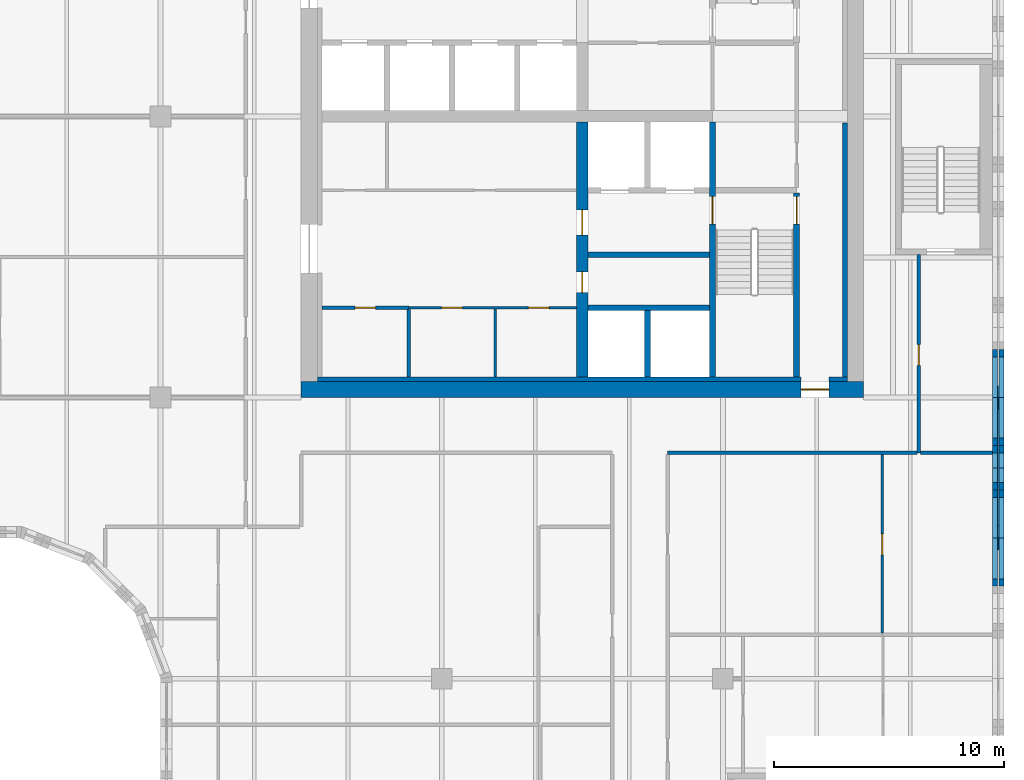
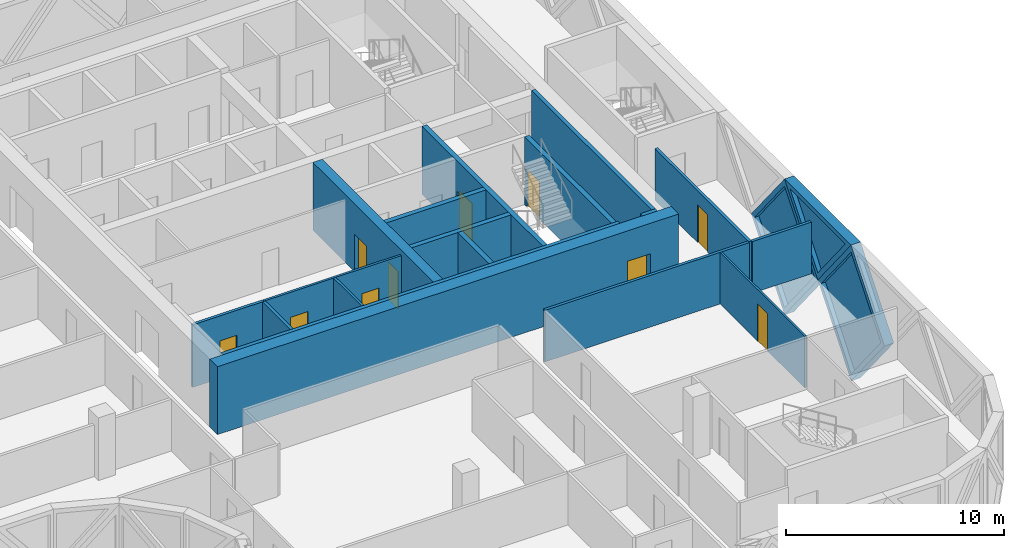
# One storey, part 8 of 15: 21 walls, 10 doors, 3 plates, 13 openings.
"""IFC4 building model written with IfcOpenShell, lengths in metres."""

from ifc_helpers import new_model, si_unit, direction, frame, frame_2d, origin, place, context, subcontext, project, spatial, polyline, rectangle, outline, extrude, faceted_brep, source, transform, mapped, material, layer, layer_set, type_object, element, fill, save


model = new_model("IFC4")

# Units and contexts
model_context = context("Model", 3, precision=1e-05, world=origin(), true_north=direction((0.0, 1.0)))
body_context = subcontext(model_context, "Body", "Model", "MODEL_VIEW")
ifc_project = project(units=[si_unit("LENGTHUNIT", "METRE"), si_unit("AREAUNIT", "SQUARE_METRE"), si_unit("VOLUMEUNIT", "CUBIC_METRE"), si_unit("PLANEANGLEUNIT", "RADIAN"), si_unit("MASSUNIT", "GRAM", prefix="KILO")], contexts=[model_context])

# Site, building, storey
site_placement = place(None, origin())
site = spatial("IfcSite", under=ifc_project, at=site_placement, CompositionType="ELEMENT")
building_placement = place(site_placement, origin())
building = spatial("IfcBuilding", under=site, at=building_placement, Name="Tessera Gate Towers", CompositionType="ELEMENT")
storey_placement = place(building_placement, frame((0.0, 0.0, 146.800048828125)))
storey = spatial("IfcBuildingStorey", under=building, at=storey_placement, Name="L36", CompositionType="ELEMENT", Elevation=146.800048828125)

# Wall, opening, door
ifc_material_1 = material(Name="Concrete C40/50", Category="concrete")
ifc_layer_1 = layer(ifc_material_1, 0.25)
ifc_layer_set_1 = layer_set([ifc_layer_1], Name="CORE ENCLOSURE WALL 250")
wall_type_1 = type_object("IfcWallType", Name="CORE ENCLOSURE WALL 250", PredefinedType="SOLIDWALL", material=ifc_layer_set_1)
wall_1_placement = place(storey_placement, frame((48.35009765625, 36.35009765625, 0.0), z_axis=(0.0, 0.0, 1.0), x_axis=(0.0, -1.0, 0.0)))
wall_1 = element("IfcWall", 1, at=wall_1_placement, inside=storey, type_object=wall_type_1, Name="L36 shaft and stair enclosure wall", PredefinedType="SOLIDWALL", context=body_context, shape_type="SweptSolid", body=[
    extrude(rectangle(XDim=11.050048828125, YDim=0.25, at=frame_2d((5.52490234375, 0.0))), origin(), (0.0, 0.0, 1.0), 3.800048828125),
])
shared_shape_1 = source(origin(), body_context, "Body", "SweptSolid", [
    extrude(rectangle(XDim=1.199951171875, YDim=2.10009765625, at=frame_2d((0.60009765625, 1.050048828125))), frame((0.0, 0.135009765625, 0.0), z_axis=(0.0, -1.0, 0.0), x_axis=(1.0, 0.0, 0.0)), (0.0, 0.0, 1.0), 0.27001953125),
])
opening_1_placement = place(wall_1_placement, frame((3.22509765625, 0.0, 0.0)))
opening_1 = element("IfcOpeningElement", 2, at=opening_1_placement, cuts=wall_1, Name="Opening SD-ST1-1", PredefinedType="OPENING", context=body_context, shape_type="MappedRepresentation", body=[
    mapped(shared_shape_1, transform((0.0, 0.0, 0.0), scale=1.0)),
])
ifc_material_2 = material(Name="Hollow steel fire door", Category="steel")
door_type_1 = type_object("IfcDoorType", Name="CORE DOOR SD 1200x2100", OperationType="NOTDEFINED", PredefinedType="DOOR", material=ifc_material_2)
shared_shape_2 = source(origin(), body_context, "Body", "SweptSolid", [
    extrude(rectangle(XDim=1.199951171875, YDim=2.10009765625, at=frame_2d((0.60009765625, 1.050048828125))), frame((0.0, 0.02490234375, 0.0), z_axis=(0.0, -1.0, 0.0), x_axis=(1.0, 0.0, 0.0)), (0.0, 0.0, 1.0), 0.050048828125),
])
door_1_placement = place(opening_1_placement, origin())
door_1 = element("IfcDoor", 3, at=door_1_placement, inside=storey, type_object=door_type_1, Name="Stair door", OperationType="SINGLE_SWING_LEFT", OverallHeight=2.10009765625, OverallWidth=1.199951171875, PredefinedType="DOOR", context=body_context, shape_type="MappedRepresentation", body=[
    mapped(shared_shape_2, transform((0.0, 0.0, 0.0), scale=1.0)),
])
fill(opening_1, door_1)

wall_2_placement = place(storey_placement, frame((52.0, 25.300048828125, 0.0), z_axis=(0.0, 0.0, 1.0), x_axis=(0.0, 1.0, 0.0)))
wall_2 = element("IfcWall", 4, at=wall_2_placement, inside=storey, type_object=wall_type_1, Name="L36 shaft and stair enclosure wall", PredefinedType="SOLIDWALL", context=body_context, shape_type="SweptSolid", body=[
    extrude(rectangle(XDim=7.974853515625, YDim=0.25, at=frame_2d((3.9873046875, 0.0))), origin(), (0.0, 0.0, 1.0), 3.800048828125),
])
opening_2_placement = place(wall_2_placement, frame((6.625, 0.0, 0.0)))
opening_2 = element("IfcOpeningElement", 5, at=opening_2_placement, cuts=wall_2, Name="Opening SD-ST1-2", PredefinedType="OPENING", context=body_context, shape_type="MappedRepresentation", body=[
    mapped(shared_shape_1, transform((0.0, 0.0, 0.0), scale=1.0)),
])
door_2_placement = place(opening_2_placement, origin())
door_2 = element("IfcDoor", 6, at=door_2_placement, inside=storey, type_object=door_type_1, Name="Stair door", OperationType="SINGLE_SWING_RIGHT", OverallHeight=2.10009765625, OverallWidth=1.199951171875, PredefinedType="DOOR", context=body_context, shape_type="MappedRepresentation", body=[
    mapped(shared_shape_2, transform((0.0, 0.0, 0.0), scale=1.0)),
])
fill(opening_2, door_2)

# Walls
for number, where, z_axis, x_axis, name in (
    (7, (42.949951171875, 28.300048828125, 0.0), (0.0, 0.0, 1.0), (1.0, 0.0, 0.0), "L36 shaft and stair enclosure wall"),
    (8, (42.949951171875, 30.60009765625, 0.0), (0.0, 0.0, 1.0), (1.0, 0.0, 0.0), "L36 shaft and stair enclosure wall"),
):
    element("IfcWall", number, at=place(storey_placement, frame(where, z_axis=z_axis, x_axis=x_axis)), inside=storey, type_object=wall_type_1, Name=name, PredefinedType="SOLIDWALL", context=body_context, shape_type="SweptSolid", body=[
        extrude(rectangle(XDim=5.275146484375, YDim=0.25, at=frame_2d((2.6376953125, 0.0))), origin(), (0.0, 0.0, 1.0), 3.800048828125),
    ])
wall_3_placement = place(storey_placement, frame((45.52490234375, 25.300048828125, 0.0), z_axis=(0.0, 0.0, 1.0), x_axis=(0.0, 1.0, 0.0)))
element("IfcWall", 9, at=wall_3_placement, inside=storey, type_object=wall_type_1, Name="L36 shaft and stair enclosure wall", PredefinedType="SOLIDWALL", context=body_context, shape_type="SweptSolid", body=[
    extrude(rectangle(XDim=2.875, YDim=0.25, at=frame_2d((1.4375, 0.0))), origin(), (0.0, 0.0, 1.0), 3.800048828125),
])

# Wall, openings, doors
ifc_material_3 = material(Name="Gypsum board on steel studs", Category="steel")
ifc_layer_2 = layer(ifc_material_3, 0.1201171875)
ifc_layer_set_2 = layer_set([ifc_layer_2], Name="CORE PARTITION 120")
wall_type_2 = type_object("IfcWallType", Name="CORE PARTITION 120", PredefinedType="PARTITIONING", material=ifc_layer_set_2)
wall_4_placement = place(storey_placement, frame((42.449951171875, 28.300048828125, 0.0), z_axis=(0.0, 0.0, 1.0), x_axis=(-1.0, 0.0, 0.0)))
wall_4 = element("IfcWall", 10, at=wall_4_placement, inside=storey, type_object=wall_type_2, Name="L36 core partition", PredefinedType="PARTITIONING", context=body_context, shape_type="SweptSolid", body=[
    extrude(rectangle(XDim=7.27490234375, YDim=0.1201171875, at=frame_2d((3.637451171875, 0.0))), origin(), (0.0, 0.0, 1.0), 3.5),
])
shared_shape_3 = source(origin(), body_context, "Body", "SweptSolid", [
    extrude(rectangle(XDim=0.89990234375, YDim=2.10009765625, at=frame_2d((0.449951171875, 1.050048828125))), frame((0.0, 0.070068359375, 0.0), z_axis=(0.0, -1.0, 0.0), x_axis=(1.0, 0.0, 0.0)), (0.0, 0.0, 1.0), 0.14013671875),
])
opening_3_placement = place(wall_4_placement, frame((4.949951171875, 0.0, 0.0)))
opening_3 = element("IfcOpeningElement", 11, at=opening_3_placement, cuts=wall_4, Name="Opening RD-T1-23-09", PredefinedType="OPENING", context=body_context, shape_type="MappedRepresentation", body=[
    mapped(shared_shape_3, transform((0.0, 0.0, 0.0), scale=1.0)),
])
opening_4_placement = place(wall_4_placement, frame((1.1875, 0.0, 0.0)))
opening_4 = element("IfcOpeningElement", 12, at=opening_4_placement, cuts=wall_4, Name="Opening RD-T1-23-10", PredefinedType="OPENING", context=body_context, shape_type="MappedRepresentation", body=[
    mapped(shared_shape_3, transform((0.0, 0.0, 0.0), scale=1.0)),
])
ifc_material_4 = material(Name="Hollow steel fire door", Category="steel")
door_type_2 = type_object("IfcDoorType", Name="CORE DOOR RD 900x2100", OperationType="NOTDEFINED", PredefinedType="DOOR", material=ifc_material_4)
shared_shape_4 = source(origin(), body_context, "Body", "SweptSolid", [
    extrude(rectangle(XDim=0.89990234375, YDim=2.10009765625, at=frame_2d((0.449951171875, 1.050048828125))), frame((0.0, 0.02490234375, 0.0), z_axis=(0.0, -1.0, 0.0), x_axis=(1.0, 0.0, 0.0)), (0.0, 0.0, 1.0), 0.050048828125),
])
door_3_placement = place(opening_3_placement, origin())
door_3 = element("IfcDoor", 13, at=door_3_placement, inside=storey, type_object=door_type_2, Name="Core room door", OperationType="SINGLE_SWING_RIGHT", OverallHeight=2.10009765625, OverallWidth=0.89990234375, PredefinedType="DOOR", context=body_context, shape_type="MappedRepresentation", body=[
    mapped(shared_shape_4, transform((0.0, 0.0, 0.0), scale=1.0)),
])
fill(opening_3, door_3)
door_4_placement = place(opening_4_placement, origin())
door_4 = element("IfcDoor", 14, at=door_4_placement, inside=storey, type_object=door_type_2, Name="Core room door", OperationType="SINGLE_SWING_LEFT", OverallHeight=2.10009765625, OverallWidth=0.89990234375, PredefinedType="DOOR", context=body_context, shape_type="MappedRepresentation", body=[
    mapped(shared_shape_4, transform((0.0, 0.0, 0.0), scale=1.0)),
])
fill(opening_4, door_4)

# Wall
wall_5_placement = place(storey_placement, frame((38.925048828125, 25.300048828125, 0.0), z_axis=(0.0, 0.0, 1.0), x_axis=(0.0, 1.0, 0.0)))
element("IfcWall", 15, at=wall_5_placement, inside=storey, type_object=wall_type_2, Name="L36 core partition", PredefinedType="PARTITIONING", context=body_context, shape_type="SweptSolid", body=[
    extrude(rectangle(XDim=2.93994140625, YDim=0.1201171875, at=frame_2d((1.469970703125, 0.0))), origin(), (0.0, 0.0, 1.0), 3.5),
])

# Wall, opening, door
ifc_material_5 = material(Name="Concrete C60/75", Category="concrete")
ifc_layer_3 = layer(ifc_material_5, 0.699951171875)
ifc_layer_set_3 = layer_set([ifc_layer_3], Name="CORE SHEAR WALL 700 C60/75")
wall_type_3 = type_object("IfcWallType", Name="CORE SHEAR WALL 700 C60/75", PredefinedType="SHEAR", material=ifc_layer_set_3)
wall_6_placement = place(storey_placement, frame((54.89990234375, 24.75, 0.0), z_axis=(0.0, 0.0, 1.0), x_axis=(-1.0, 0.0, 0.0)))
wall_6 = element("IfcWall", 16, at=wall_6_placement, inside=storey, type_object=wall_type_3, Name="Core wall S L36", PredefinedType="SHEAR", context=body_context, shape_type="SweptSolid", body=[
    extrude(rectangle(XDim=24.39990234375, YDim=0.699951171875, at=frame_2d((12.199951171875, 0.0))), origin(), (0.0, 0.0, 1.0), 3.800048828125),
])
shared_shape_5 = source(origin(), body_context, "Body", "SweptSolid", [
    extrude(rectangle(XDim=1.199951171875, YDim=2.10009765625, at=frame_2d((0.60009765625, 1.050048828125))), frame((0.0, 0.35986328125, 0.0), z_axis=(0.0, -1.0, 0.0), x_axis=(1.0, 0.0, 0.0)), (0.0, 0.0, 1.0), 0.719970703125),
])
opening_5_placement = place(wall_6_placement, frame((1.5, 0.0, 0.0)))
opening_5 = element("IfcOpeningElement", 17, at=opening_5_placement, cuts=wall_6, Name="Opening ED-T1-23-01", PredefinedType="OPENING", context=body_context, shape_type="MappedRepresentation", body=[
    mapped(shared_shape_5, transform((0.0, 0.0, 0.0), scale=1.0)),
])
ifc_material_6 = material(Name="Hollow steel fire door", Category="steel")
door_type_3 = type_object("IfcDoorType", Name="CORE DOOR ED 1200x2100", OperationType="NOTDEFINED", PredefinedType="DOOR", material=ifc_material_6)
door_5_placement = place(opening_5_placement, origin())
door_5 = element("IfcDoor", 18, at=door_5_placement, inside=storey, type_object=door_type_3, Name="Core exit door", OperationType="SINGLE_SWING_LEFT", OverallHeight=2.10009765625, OverallWidth=1.199951171875, PredefinedType="DOOR", context=body_context, shape_type="MappedRepresentation", body=[
    mapped(shared_shape_2, transform((0.0, 0.0, 0.0), scale=1.0)),
])
fill(opening_5, door_5)

# Wall, openings, doors
ifc_material_7 = material(Name="Concrete C60/75", Category="concrete")
ifc_layer_4 = layer(ifc_material_7, 0.5)
ifc_layer_set_4 = layer_set([ifc_layer_4], Name="CORE SPINE WALL 500 C60/75")
wall_type_4 = type_object("IfcWallType", Name="CORE SPINE WALL 500 C60/75", PredefinedType="SHEAR", material=ifc_layer_set_4)
wall_7_placement = place(storey_placement, frame((42.699951171875, 36.35009765625, 0.0), z_axis=(0.0, 0.0, 1.0), x_axis=(0.0, -1.0, 0.0)))
wall_7 = element("IfcWall", 19, at=wall_7_placement, inside=storey, type_object=wall_type_4, Name="Core wall spine L36", PredefinedType="SHEAR", context=body_context, shape_type="SweptSolid", body=[
    extrude(rectangle(XDim=11.050048828125, YDim=0.5, at=frame_2d((5.52490234375, 0.0))), origin(), (0.0, 0.0, 1.0), 3.800048828125),
])
shared_shape_6 = source(origin(), body_context, "Body", "SweptSolid", [
    extrude(rectangle(XDim=0.89990234375, YDim=2.10009765625, at=frame_2d((0.449951171875, 1.050048828125))), frame((0.0, 0.260009765625, 0.0), z_axis=(0.0, -1.0, 0.0), x_axis=(1.0, 0.0, 0.0)), (0.0, 0.0, 1.0), 0.52001953125),
])
opening_6_placement = place(wall_7_placement, frame((6.5, 0.0, 0.0)))
opening_6 = element("IfcOpeningElement", 20, at=opening_6_placement, cuts=wall_7, Name="Opening RD-T1-23-05", PredefinedType="OPENING", context=body_context, shape_type="MappedRepresentation", body=[
    mapped(shared_shape_6, transform((0.0, 0.0, 0.0), scale=1.0)),
])
shared_shape_7 = source(origin(), body_context, "Body", "SweptSolid", [
    extrude(rectangle(XDim=1.10009765625, YDim=2.10009765625, at=frame_2d((0.550048828125, 1.050048828125))), frame((0.0, 0.260009765625, 0.0), z_axis=(0.0, -1.0, 0.0), x_axis=(1.0, 0.0, 0.0)), (0.0, 0.0, 1.0), 0.52001953125),
])
opening_7_placement = place(wall_7_placement, frame((3.800048828125, 0.0, 0.0)))
opening_7 = element("IfcOpeningElement", 21, at=opening_7_placement, cuts=wall_7, Name="Opening FD-T1-23-06", PredefinedType="OPENING", context=body_context, shape_type="MappedRepresentation", body=[
    mapped(shared_shape_7, transform((0.0, 0.0, 0.0), scale=1.0)),
])
door_6_placement = place(opening_6_placement, origin())
door_6 = element("IfcDoor", 22, at=door_6_placement, inside=storey, type_object=door_type_2, Name="Core room door", OperationType="SINGLE_SWING_RIGHT", OverallHeight=2.10009765625, OverallWidth=0.89990234375, PredefinedType="DOOR", context=body_context, shape_type="MappedRepresentation", body=[
    mapped(shared_shape_4, transform((0.0, 0.0, 0.0), scale=1.0)),
])
fill(opening_6, door_6)
ifc_material_8 = material(Name="Hollow steel fire door", Category="steel")
door_type_4 = type_object("IfcDoorType", Name="CORE DOOR FD 1100x2100", OperationType="NOTDEFINED", PredefinedType="DOOR", material=ifc_material_8)
shared_shape_8 = source(origin(), body_context, "Body", "SweptSolid", [
    extrude(rectangle(XDim=1.10009765625, YDim=2.10009765625, at=frame_2d((0.550048828125, 1.050048828125))), frame((0.0, 0.02490234375, 0.0), z_axis=(0.0, -1.0, 0.0), x_axis=(1.0, 0.0, 0.0)), (0.0, 0.0, 1.0), 0.050048828125),
])
door_7_placement = place(opening_7_placement, origin())
door_7 = element("IfcDoor", 23, at=door_7_placement, inside=storey, type_object=door_type_4, Name="Fire-fighting lobby door", OperationType="SINGLE_SWING_LEFT", OverallHeight=2.10009765625, OverallWidth=1.10009765625, PredefinedType="DOOR", context=body_context, shape_type="MappedRepresentation", body=[
    mapped(shared_shape_8, transform((0.0, 0.0, 0.0), scale=1.0)),
])
fill(opening_7, door_7)

# Walls
ifc_material_9 = material(Name="Concrete C60/75", Category="concrete")
ifc_layer_5 = layer(ifc_material_9, 0.199951171875)
ifc_layer_set_5 = layer_set([ifc_layer_5], Name="CORE WALL THICKENING 200")
wall_type_5 = type_object("IfcWallType", Name="CORE WALL THICKENING 200", PredefinedType="SOLIDWALL", material=ifc_layer_set_5)
wall_8_placement = place(storey_placement, frame((31.199951171875, 25.199951171875, 0.0), z_axis=(0.0, 0.0, 1.0), x_axis=(1.0, 0.0, 0.0)))
element("IfcWall", 24, at=wall_8_placement, inside=storey, type_object=wall_type_5, Name="Core wall thickening S L36", PredefinedType="SOLIDWALL", context=body_context, shape_type="SweptSolid", body=[
    extrude(rectangle(XDim=21.0, YDim=0.199951171875, at=frame_2d((10.5, 0.0))), origin(), (0.0, 0.0, 1.0), 3.800048828125),
])
wall_9_placement = place(storey_placement, frame((53.39990234375, 25.199951171875, 0.0), z_axis=(0.0, 0.0, 1.0), x_axis=(1.0, 0.0, 0.0)))
element("IfcWall", 25, at=wall_9_placement, inside=storey, type_object=wall_type_5, Name="Core wall thickening S L36", PredefinedType="SOLIDWALL", context=body_context, shape_type="SweptSolid", body=[
    extrude(rectangle(XDim=0.800048828125, YDim=0.199951171875, at=frame_2d((0.39990234375, 0.0))), origin(), (0.0, 0.0, 1.0), 3.800048828125),
])
wall_10_placement = place(storey_placement, frame((54.10009765625, 25.300048828125, 0.0), z_axis=(0.0, 0.0, 1.0), x_axis=(0.0, 1.0, 0.0)))
element("IfcWall", 26, at=wall_10_placement, inside=storey, type_object=wall_type_5, Name="Core wall thickening E L36", PredefinedType="SOLIDWALL", context=body_context, shape_type="SweptSolid", body=[
    extrude(rectangle(XDim=11.02001953125, YDim=0.199951171875, at=frame_2d((5.510009765625, 0.0))), origin(), (0.0, 0.0, 1.0), 3.800048828125),
])
ifc_material_10 = material(Name="Gypsum board on steel studs, mineral wool", Category="steel")
ifc_layer_6 = layer(ifc_material_10, 0.14990234375)
ifc_layer_set_6 = layer_set([ifc_layer_6], Name="CORRIDOR WALL 150")
wall_type_6 = type_object("IfcWallType", Name="CORRIDOR WALL 150", PredefinedType="PARTITIONING", material=ifc_layer_set_6)
wall_11_placement = place(storey_placement, frame((46.39990234375, 22.0, 0.0), z_axis=(0.0, 0.0, 1.0), x_axis=(1.0, 0.0, 0.0)))
element("IfcWall", 27, at=wall_11_placement, inside=storey, type_object=wall_type_6, Name="T1-L36-PW-028", PredefinedType="PARTITIONING", context=body_context, shape_type="SweptSolid", body=[
    extrude(rectangle(XDim=10.82421875, YDim=0.14990234375, at=frame_2d((5.412109375, 0.0))), origin(), (0.0, 0.0, 1.0), 2.887939453125),
])

# Wall, opening, door
wall_12_placement = place(storey_placement, frame((57.300048828125, 30.60009765625, 0.0), z_axis=(0.0, 0.0, 1.0), x_axis=(0.0, -1.0, 0.0)))
wall_12 = element("IfcWall", 28, at=wall_12_placement, inside=storey, type_object=wall_type_6, Name="T1-L36-PW-029", PredefinedType="PARTITIONING", context=body_context, shape_type="SweptSolid", body=[
    extrude(rectangle(XDim=8.60009765625, YDim=0.14990234375, at=frame_2d((4.300048828125, 0.0))), origin(), (0.0, 0.0, 1.0), 2.887939453125),
])
shared_shape_9 = source(origin(), body_context, "Body", "SweptSolid", [
    extrude(rectangle(XDim=0.89990234375, YDim=2.10009765625, at=frame_2d((0.449951171875, 1.050048828125))), frame((0.0, 0.0849609375, 0.0), z_axis=(0.0, -1.0, 0.0), x_axis=(1.0, 0.0, 0.0)), (0.0, 0.0, 1.0), 0.169921875),
])
opening_8_placement = place(wall_12_placement, frame((3.89990234375, 0.0, 0.0)))
opening_8 = element("IfcOpeningElement", 29, at=opening_8_placement, cuts=wall_12, Name="Opening D890FD60-A13-04", PredefinedType="OPENING", context=body_context, shape_type="MappedRepresentation", body=[
    mapped(shared_shape_9, transform((0.0, 0.0, 0.0), scale=1.0)),
])
ifc_material_11 = material(Name="Timber door leaf in steel frame", Category="steel")
door_type_5 = type_object("IfcDoorType", Name="CORRIDOR DOOR 900 FD60", OperationType="NOTDEFINED", PredefinedType="DOOR", material=ifc_material_11)
door_8_placement = place(opening_8_placement, origin())
door_8 = element("IfcDoor", 30, at=door_8_placement, inside=storey, type_object=door_type_5, Name="T1-L36-PD-021", OperationType="SINGLE_SWING_RIGHT", OverallHeight=2.10009765625, OverallWidth=0.89990234375, PredefinedType="DOOR", context=body_context, shape_type="MappedRepresentation", body=[
    mapped(shared_shape_4, transform((0.0, 0.0, 0.0), scale=1.0)),
])
fill(opening_8, door_8)

ifc_material_12 = material(Name="Glass", Category="glass")
ifc_layer_7 = layer(ifc_material_12, 0.10009765625)
ifc_layer_set_7 = layer_set([ifc_layer_7], Name="GLAZED PARTITION 100")
wall_type_7 = type_object("IfcWallType", Name="GLAZED PARTITION 100", PredefinedType="PARTITIONING", material=ifc_layer_set_7)
wall_13_placement = place(storey_placement, frame((55.715087890625, 21.924072265625, 0.0), z_axis=(0.0, 0.0, 1.0), x_axis=(0.0, -1.0, 0.0)))
wall_13 = element("IfcWall", 31, at=wall_13_placement, inside=storey, type_object=wall_type_7, Name="T1-L36-PW-018", PredefinedType="PARTITIONING", context=body_context, shape_type="SweptSolid", body=[
    extrude(rectangle(XDim=7.748046875, YDim=0.10009765625, at=frame_2d((3.8740234375, 0.0))), origin(), (0.0, 0.0, 1.0), 2.887939453125),
])
shared_shape_10 = source(origin(), body_context, "Body", "SweptSolid", [
    extrude(rectangle(XDim=0.89990234375, YDim=2.10009765625, at=frame_2d((0.449951171875, 1.050048828125))), frame((0.0, 0.06005859375, 0.0), z_axis=(0.0, -1.0, 0.0), x_axis=(1.0, 0.0, 0.0)), (0.0, 0.0, 1.0), 0.1201171875),
])
opening_9_placement = place(wall_13_placement, frame((3.447998046875, 0.0, 0.0)))
opening_9 = element("IfcOpeningElement", 32, at=opening_9_placement, cuts=wall_13, Name="Opening D690-A13-04", PredefinedType="OPENING", context=body_context, shape_type="MappedRepresentation", body=[
    mapped(shared_shape_10, transform((0.0, 0.0, 0.0), scale=1.0)),
])
ifc_material_13 = material(Name="Glass in aluminium frame", Category="aluminium")
door_type_6 = type_object("IfcDoorType", Name="GLAZED DOOR 900 NOT RATED", OperationType="NOTDEFINED", PredefinedType="DOOR", material=ifc_material_13)
door_9_placement = place(opening_9_placement, origin())
door_9 = element("IfcDoor", 33, at=door_9_placement, inside=storey, type_object=door_type_6, Name="T1-L36-PD-018", OperationType="SINGLE_SWING_RIGHT", OverallHeight=2.10009765625, OverallWidth=0.89990234375, PredefinedType="DOOR", context=body_context, shape_type="MappedRepresentation", body=[
    mapped(shared_shape_4, transform((0.0, 0.0, 0.0), scale=1.0)),
])
fill(opening_9, door_9)

ifc_material_14 = material(Name="Gypsum board on steel studs", Category="steel")
ifc_layer_8 = layer(ifc_material_14, 0.14990234375)
ifc_layer_set_8 = layer_set([ifc_layer_8], Name="SERVICE ROOM WALL 150")
wall_type_8 = type_object("IfcWallType", Name="SERVICE ROOM WALL 150", PredefinedType="PARTITIONING", material=ifc_layer_set_8)
wall_14_placement = place(storey_placement, frame((35.175048828125, 28.300048828125, 0.0), z_axis=(0.0, 0.0, 1.0), x_axis=(-1.0, 0.0, 0.0)))
wall_14 = element("IfcWall", 34, at=wall_14_placement, inside=storey, type_object=wall_type_8, Name="L36 service room wall", PredefinedType="PARTITIONING", context=body_context, shape_type="SweptSolid", body=[
    extrude(rectangle(XDim=3.775146484375, YDim=0.14990234375, at=frame_2d((1.8876953125, 0.0))), origin(), (0.0, 0.0, 1.0), 3.5),
])
opening_10_placement = place(wall_14_placement, frame((1.4375, 0.0, 0.0)))
opening_10 = element("IfcOpeningElement", 35, at=opening_10_placement, cuts=wall_14, Name="Opening RD-T1-23-13", PredefinedType="OPENING", context=body_context, shape_type="MappedRepresentation", body=[
    mapped(shared_shape_9, transform((0.0, 0.0, 0.0), scale=1.0)),
])
door_10_placement = place(opening_10_placement, origin())
door_10 = element("IfcDoor", 36, at=door_10_placement, inside=storey, type_object=door_type_2, Name="Core room door", OperationType="SINGLE_SWING_LEFT", OverallHeight=2.10009765625, OverallWidth=0.89990234375, PredefinedType="DOOR", context=body_context, shape_type="MappedRepresentation", body=[
    mapped(shared_shape_4, transform((0.0, 0.0, 0.0), scale=1.0)),
])
fill(opening_10, door_10)

# Walls
wall_15_placement = place(storey_placement, frame((35.175048828125, 25.300048828125, 0.0), z_axis=(0.0, 0.0, 1.0), x_axis=(0.0, 1.0, 0.0)))
element("IfcWall", 37, at=wall_15_placement, inside=storey, type_object=wall_type_8, Name="L36 service room wall", PredefinedType="PARTITIONING", context=body_context, shape_type="SweptSolid", body=[
    extrude(rectangle(XDim=2.925048828125, YDim=0.14990234375, at=frame_2d((1.46240234375, 0.0))), origin(), (0.0, 0.0, 1.0), 3.5),
])
ifc_material_15 = material(Name="Gypsum board on steel studs, mineral wool", Category="steel")
ifc_layer_9 = layer(ifc_material_15, 0.14990234375)
ifc_layer_set_9 = layer_set([ifc_layer_9], Name="TENANCY WALL 150")
wall_type_9 = type_object("IfcWallType", Name="TENANCY WALL 150", PredefinedType="PARTITIONING", material=ifc_layer_set_9)
wall_16_placement = place(storey_placement, frame((57.3759765625, 22.0, 0.0), z_axis=(0.0, 0.0, 1.0), x_axis=(1.0, 0.0, 0.0)))
element("IfcWall", 38, at=wall_16_placement, inside=storey, type_object=wall_type_9, Name="T1-L36-PW-030", PredefinedType="PARTITIONING", context=body_context, shape_type="SweptSolid", body=[
    extrude(rectangle(XDim=3.1240234375, YDim=0.14990234375, at=frame_2d((1.56201171875, 0.0))), origin(), (0.0, 0.0, 1.0), 2.887939453125),
])

# Wall, opening, plate
ifc_material_16 = material(Name="Precast concrete C60/75 white", Category="concrete")
ifc_layer_10 = layer(ifc_material_16, 0.5)
ifc_layer_set_10 = layer_set([ifc_layer_10], Name="TS1 tessera")
wall_type_10 = type_object("IfcWallType", Name="TS1 tessera", PredefinedType="SOLIDWALL", material=ifc_layer_set_10)
shared_shape_11 = source(origin(), body_context, "Body", "Brep", [
    faceted_brep([(3.050048828125, -0.25, 0.0), (6.099853515625, -0.25, 3.7998046875), (6.099853515625, -0.25, 3.80029296875), (3.050048828125, -0.25, 7.60009765625), (0.0, -0.25, 3.800048828125), (0.0, 0.25, 3.800048828125), (3.050048828125, 0.25, 7.60009765625), (6.099853515625, 0.25, 3.80029296875), (6.099853515625, 0.25, 3.7998046875), (3.050048828125, 0.25, 0.0)], [[[0, 1, 2, 3, 4]], [[5, 6, 7, 8, 9]], [[9, 8, 1, 0]], [[7, 6, 3, 2]], [[6, 5, 4, 3]], [[5, 9, 0, 4]], [[1, 8, 7, 2]]]),
])
wall_17_placement = place(storey_placement, frame((60.75, 21.35009765625, -3.800048828125), z_axis=(0.0, 0.0, 1.0), x_axis=(0.0, 1.0, 0.0)))
wall_17 = element("IfcWall", 39, at=wall_17_placement, inside=storey, type_object=wall_type_10, Name="Precast tessera T1 TS1-0627", PredefinedType="SOLIDWALL", context=body_context, shape_type="MappedRepresentation", body=[
    mapped(shared_shape_11, transform((0.0, 0.0, 0.0), scale=1.0)),
])
shared_shape_12 = source(origin(), body_context, "Body", "SweptSolid", [
    extrude(outline(polyline([(3.050048828125, 0.3994140625), (5.779541015625, 3.800048828125), (3.050048828125, 7.20068359375), (0.320556640625, 3.800048828125), (3.050048828125, 0.3994140625)])), frame((0.0, 0.260009765625, 0.0), z_axis=(0.0, -1.0, 0.0), x_axis=(1.0, 0.0, 0.0)), (0.0, 0.0, 1.0), 0.52001953125),
])
opening_11_placement = place(wall_17_placement, origin())
opening_11 = element("IfcOpeningElement", 40, at=opening_11_placement, cuts=wall_17, Name="Opening T1-PL2-1279", PredefinedType="OPENING", context=body_context, shape_type="MappedRepresentation", body=[
    mapped(shared_shape_12, transform((0.0, 0.0, 0.0), scale=1.0)),
])
ifc_material_17 = material(Name="Low-e laminated glass", Category="glass")
ifc_layer_11 = layer(ifc_material_17, 0.06005859375)
ifc_layer_set_11 = layer_set([ifc_layer_11], Name="PL2 rhombic pane")
plate_type_1 = type_object("IfcPlateType", Name="PL2 rhombic pane", PredefinedType="SHEET", material=ifc_layer_set_11)
shared_shape_13 = source(origin(), body_context, "Body", "SweptSolid", [
    extrude(outline(polyline([(3.050048828125, 0.3994140625), (5.779541015625, 3.800048828125), (3.050048828125, 7.20068359375), (0.320556640625, 3.800048828125), (3.050048828125, 0.3994140625)])), frame((0.0, 0.030029296875, 0.0), z_axis=(0.0, -1.0, 0.0), x_axis=(1.0, 0.0, 0.0)), (0.0, 0.0, 1.0), 0.06005859375),
])
plate_1_placement = place(opening_11_placement, origin())
plate_1 = element("IfcPlate", 41, at=plate_1_placement, inside=storey, type_object=plate_type_1, Name="Glass pane T1 PL2-1279", PredefinedType="SHEET", context=body_context, shape_type="MappedRepresentation", body=[
    mapped(shared_shape_13, transform((0.0, 0.0, 0.0), scale=1.0)),
])
fill(opening_11, plate_1)

shared_shape_14 = source(origin(), body_context, "Body", "SweptSolid", [
    extrude(outline(polyline([(3.050048828125, 0.0), (6.10009765625, 3.800048828125), (3.050048828125, 7.60009765625), (0.0, 3.800048828125), (3.050048828125, 0.0)])), frame((0.0, 0.25, 0.0), z_axis=(0.0, -1.0, 0.0), x_axis=(1.0, 0.0, 0.0)), (0.0, 0.0, 1.0), 0.5),
])
wall_18_placement = place(storey_placement, frame((60.75, 15.25, -3.800048828125), z_axis=(0.0, 0.0, 1.0), x_axis=(0.0, 1.0, 0.0)))
wall_18 = element("IfcWall", 42, at=wall_18_placement, inside=storey, type_object=wall_type_10, Name="Precast tessera T1 TS1-0626", PredefinedType="SOLIDWALL", context=body_context, shape_type="MappedRepresentation", body=[
    mapped(shared_shape_14, transform((0.0, 0.0, 0.0), scale=1.0)),
])
opening_12_placement = place(wall_18_placement, origin())
opening_12 = element("IfcOpeningElement", 43, at=opening_12_placement, cuts=wall_18, Name="Opening T1-PL2-1278", PredefinedType="OPENING", context=body_context, shape_type="MappedRepresentation", body=[
    mapped(shared_shape_12, transform((0.0, 0.0, 0.0), scale=1.0)),
])
plate_2_placement = place(opening_12_placement, origin())
plate_2 = element("IfcPlate", 44, at=plate_2_placement, inside=storey, type_object=plate_type_1, Name="Glass pane T1 PL2-1278", PredefinedType="SHEET", context=body_context, shape_type="MappedRepresentation", body=[
    mapped(shared_shape_13, transform((0.0, 0.0, 0.0), scale=1.0)),
])
fill(opening_12, plate_2)

ifc_material_18 = material(Name="Precast concrete C60/75 white", Category="concrete")
ifc_layer_12 = layer(ifc_material_18, 0.5)
ifc_layer_set_12 = layer_set([ifc_layer_12], Name="TS2 half tessera")
wall_type_11 = type_object("IfcWallType", Name="TS2 half tessera", PredefinedType="SOLIDWALL", material=ifc_layer_set_12)
shared_shape_15 = source(origin(), body_context, "Body", "Brep", [
    faceted_brep([(3.050048828125, -0.25, 0.0), (6.099853515625, -0.25, 3.7998046875), (6.099853515625, -0.25, 3.800048828125), (0.0, -0.25, 3.800048828125), (0.0, 0.25, 3.800048828125), (6.099853515625, 0.25, 3.800048828125), (6.099853515625, 0.25, 3.7998046875), (3.050048828125, 0.25, 0.0)], [[[0, 1, 2, 3]], [[4, 5, 6, 7]], [[7, 6, 1, 0]], [[5, 4, 3, 2]], [[4, 7, 0, 3]], [[1, 6, 5, 2]]]),
])
wall_19_placement = place(storey_placement, frame((60.75, 18.300048828125, 0.0), z_axis=(0.0, 0.0, 1.0), x_axis=(0.0, 1.0, 0.0)))
wall_19 = element("IfcWall", 45, at=wall_19_placement, inside=storey, type_object=wall_type_11, Name="Precast half tessera T1 TS2-0166", PredefinedType="SOLIDWALL", context=body_context, shape_type="MappedRepresentation", body=[
    mapped(shared_shape_15, transform((0.0, 0.0, 0.0), scale=1.0)),
])
shared_shape_16 = source(origin(), body_context, "Body", "SweptSolid", [
    extrude(outline(polyline([(3.050048828125, 0.3994140625), (5.578857421875, 3.550048828125), (0.521240234375, 3.550048828125), (3.050048828125, 0.3994140625)])), frame((0.0, 0.260009765625, 0.0), z_axis=(0.0, -1.0, 0.0), x_axis=(1.0, 0.0, 0.0)), (0.0, 0.0, 1.0), 0.52001953125),
])
opening_13_placement = place(wall_19_placement, origin())
opening_13 = element("IfcOpeningElement", 46, at=opening_13_placement, cuts=wall_19, Name="Opening T1-PL1-0340", PredefinedType="OPENING", context=body_context, shape_type="MappedRepresentation", body=[
    mapped(shared_shape_16, transform((0.0, 0.0, 0.0), scale=1.0)),
])
ifc_material_19 = material(Name="Low-e laminated glass", Category="glass")
ifc_layer_13 = layer(ifc_material_19, 0.06005859375)
ifc_layer_set_13 = layer_set([ifc_layer_13], Name="PL1 triangular pane")
plate_type_2 = type_object("IfcPlateType", Name="PL1 triangular pane", PredefinedType="SHEET", material=ifc_layer_set_13)
shared_shape_17 = source(origin(), body_context, "Body", "SweptSolid", [
    extrude(outline(polyline([(3.050048828125, 0.3994140625), (5.578857421875, 3.550048828125), (0.521240234375, 3.550048828125), (3.050048828125, 0.3994140625)])), frame((0.0, 0.030029296875, 0.0), z_axis=(0.0, -1.0, 0.0), x_axis=(1.0, 0.0, 0.0)), (0.0, 0.0, 1.0), 0.06005859375),
])
plate_3_placement = place(opening_13_placement, origin())
plate_3 = element("IfcPlate", 47, at=plate_3_placement, inside=storey, type_object=plate_type_2, Name="Glass pane T1 PL1-0340", PredefinedType="SHEET", context=body_context, shape_type="MappedRepresentation", body=[
    mapped(shared_shape_17, transform((0.0, 0.0, 0.0), scale=1.0)),
])
fill(opening_13, plate_3)

save(model, "model.ifc")
